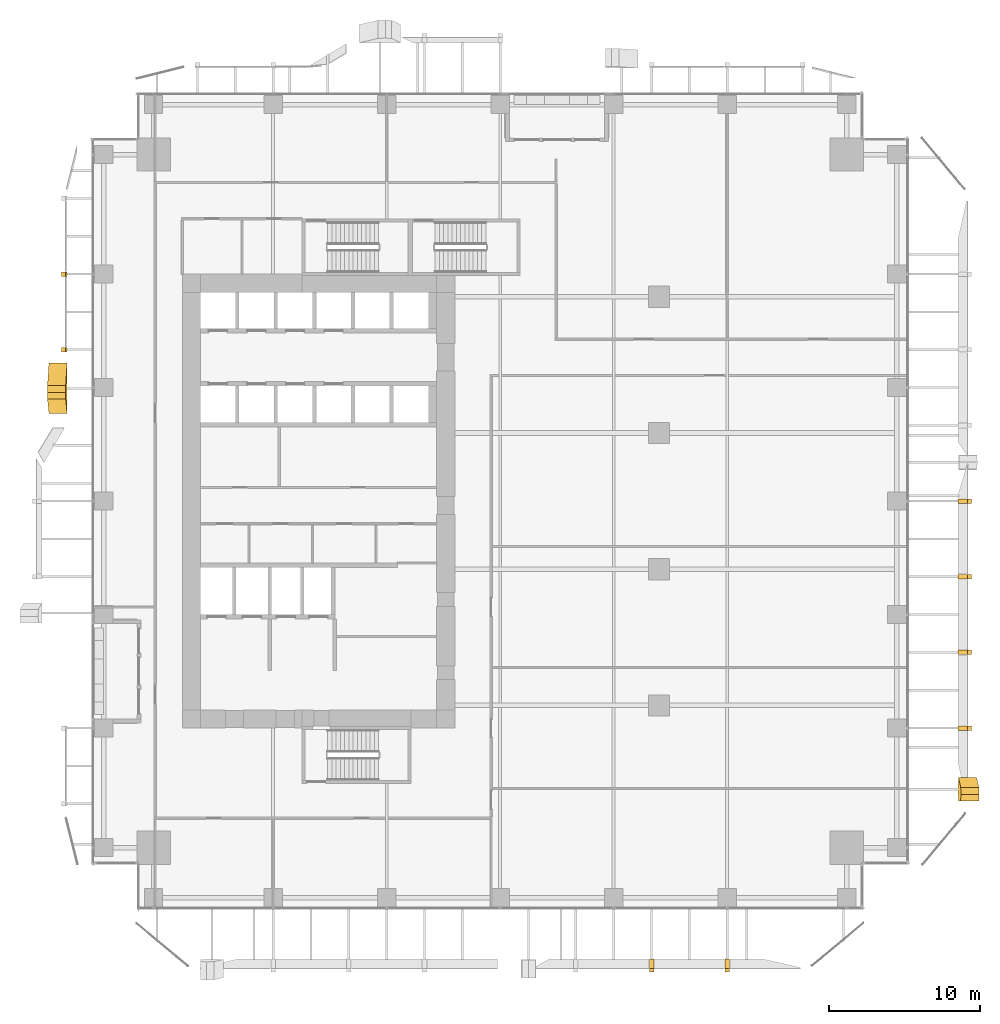
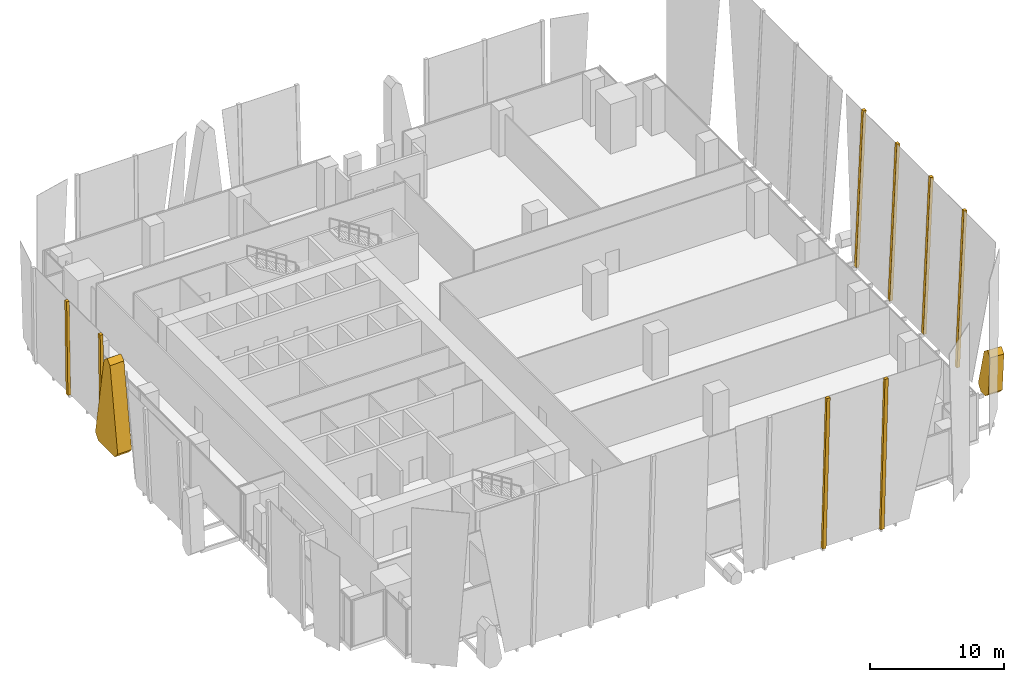
# One storey, part 32 of 35: 10 coverings.
"""IFC4 building model written with IfcOpenShell, lengths in metres."""

import ifcopenshell
import ifcopenshell.guid

model = None  # the IFC model being written
_history = None  # IfcOwnerHistory: only IFC2X3 demands one
_inside = {}  # id of a spatial element -> (the spatial element, [elements in it])
_under = {}  # id of a project, library or spatial element -> (it, [spatial elements below it])
_declared = {}  # id of a project -> (the project, [libraries it declares])
_typed = {}  # id of a type object -> (the type object, [elements of that type])
_made_of = {}  # id of a material, layer set ... -> (it, [elements and type objects made of it])


def new_model(schema):
    """Start an empty IFC model of exactly this schema.

    Asked for "IFC4X3", IfcOpenShell would pick the latest addendum, in which some entities
    have other attributes; the version numbers below select the first issue.
    IFC2X3 requires an IfcOwnerHistory on every rooted entity: one is made here for all.
    """
    global model, _history
    if schema == "IFC4X3":
        model = ifcopenshell.file(schema_version=(4, 3, 0, 0))
    else:
        model = ifcopenshell.file(schema=schema)
    _inside.clear()
    _under.clear()
    _declared.clear()
    _typed.clear()
    _made_of.clear()
    _history = None
    if model.schema == "IFC2X3":
        org = make("IfcOrganization", Name="unknown")
        user = make(
            "IfcPersonAndOrganization",
            ThePerson=make("IfcPerson", FamilyName="unknown"),
            TheOrganization=org,
        )
        app = make(
            "IfcApplication",
            ApplicationDeveloper=org,
            Version="unknown",
            ApplicationFullName="unknown",
            ApplicationIdentifier="unknown",
        )
        _history = make(
            "IfcOwnerHistory",
            OwningUser=user,
            OwningApplication=app,
            ChangeAction="ADDED",
            CreationDate=0,
        )
    return model


def make(cls, **values):
    """One entity of the class cls with the attributes given. An attribute that is None is left unset."""
    return model.create_entity(
        cls, **{name: value for name, value in values.items() if value is not None}
    )


def rooted(cls, **values):
    """An entity with a GlobalId (a new one), such as an element, a storey or a relation."""
    return make(cls, GlobalId=ifcopenshell.guid.new(), OwnerHistory=_history, **values)


def si_unit(unit_type, name, prefix=None):
    """IfcSIUnit, for example si_unit("LENGTHUNIT", "METRE", prefix="MILLI")."""
    return make("IfcSIUnit", UnitType=unit_type, Prefix=prefix, Name=name)


def assignment(units):
    """IfcUnitAssignment: the units of a project."""
    return None if units is None else make("IfcUnitAssignment", Units=units)


def point(xyz):
    """IfcCartesianPoint."""
    return None if xyz is None else make("IfcCartesianPoint", Coordinates=xyz)


def direction(xyz):
    """IfcDirection."""
    return None if xyz is None else make("IfcDirection", DirectionRatios=xyz)


def frame(location, z_axis=None, x_axis=None):
    """IfcAxis2Placement3D, a coordinate frame: its origin and axes. An axis left out is left unset."""
    return make(
        "IfcAxis2Placement3D",
        Location=point(location),
        Axis=direction(z_axis),
        RefDirection=direction(x_axis),
    )


def origin():
    """The frame at (0, 0, 0) with its axes left unset."""
    return frame((0.0, 0.0, 0.0))


def place(relative_to, where):
    """IfcLocalPlacement: puts the frame where relative to a parent placement (None: the world)."""
    return make(
        "IfcLocalPlacement", PlacementRelTo=relative_to, RelativePlacement=where
    )


def context(
    kind, dimensions, precision=None, world=None, true_north=None, identifier=None
):
    """IfcGeometricRepresentationContext, for example the 3D "Model" context."""
    return make(
        "IfcGeometricRepresentationContext",
        ContextIdentifier=identifier,
        ContextType=kind,
        CoordinateSpaceDimension=dimensions,
        Precision=precision,
        WorldCoordinateSystem=world,
        TrueNorth=true_north,
    )


def subcontext(parent, identifier, kind, view, scale=None):
    """IfcGeometricRepresentationSubContext, for example "Body" below "Model"."""
    return make(
        "IfcGeometricRepresentationSubContext",
        ContextIdentifier=identifier,
        ContextType=kind,
        ParentContext=parent,
        TargetScale=scale,
        TargetView=view,
    )


def project(units=None, contexts=None):
    """IfcProject with its units and contexts."""
    return rooted(
        "IfcProject",
        Name="project",
        RepresentationContexts=contexts,
        UnitsInContext=assignment(units),
    )


def spatial(cls, under=None, at=None, **own):
    """A site, building, storey or space (cls), placed at a placement, below another one or the project."""
    s = rooted(cls, ObjectPlacement=at, **own)
    if under is not None:
        _under.setdefault(under.id(), (under, []))[1].append(s)
    return s


def polyline(points):
    """IfcPolyline through the points."""
    return make("IfcPolyline", Points=[point(p) for p in points])


def outline(outer, holes=None, kind="AREA"):
    """IfcArbitraryClosedProfileDef: a profile drawn as a closed curve; with holes, ...WithVoids."""
    if holes is None:
        return make("IfcArbitraryClosedProfileDef", ProfileType=kind, OuterCurve=outer)
    return make(
        "IfcArbitraryProfileDefWithVoids",
        ProfileType=kind,
        OuterCurve=outer,
        InnerCurves=holes,
    )


def extrude(swept, where, along, depth):
    """IfcExtrudedAreaSolid: the profile swept, set in the frame where, extruded along a direction by depth."""
    return make(
        "IfcExtrudedAreaSolid",
        SweptArea=swept,
        Position=where,
        ExtrudedDirection=direction(along),
        Depth=depth,
    )


def shape(context_of_items, identifier, shape_type, items):
    """IfcShapeRepresentation: the items that make up one representation, for example the "Body"."""
    return make(
        "IfcShapeRepresentation",
        ContextOfItems=context_of_items,
        RepresentationIdentifier=identifier,
        RepresentationType=shape_type,
        Items=items,
    )


def material(Name=None, Category=None):
    """IfcMaterial."""
    return make("IfcMaterial", Name=Name, Category=Category)


def layer(
    of_material, thickness, ventilated=None, Name=None, Category=None, Priority=None
):
    """IfcMaterialLayer: one layer of a wall or slab, of a material (None: an air gap)."""
    return make(
        "IfcMaterialLayer",
        Material=of_material,
        LayerThickness=thickness,
        IsVentilated=ventilated,
        Name=Name,
        Category=Category,
        Priority=Priority,
    )


def layer_set(layers, Name=None):
    """IfcMaterialLayerSet."""
    return make("IfcMaterialLayerSet", MaterialLayers=layers, LayerSetName=Name)


def made_of(thing, what):
    """Note that an element or type object is made of a material, layer set ...; save() writes the relation."""
    if what is not None:
        _made_of.setdefault(what.id(), (what, []))[1].append(thing)
    return thing


def type_object(cls, material=None, **own):
    """A type object (cls), such as IfcWallType, which elements share."""
    return made_of(rooted(cls, **own), material)


def element(
    cls,
    number,
    at=None,
    inside=None,
    cuts=None,
    type_object=None,
    material=None,
    context=None,
    identifier="Body",
    shape_type=None,
    held_by="IfcProductDefinitionShape",
    body=None,
    shapes=None,
    **own,
):
    """One element of the class cls, such as IfcWall. Its Tag is "e" and its number.

    at: its placement. inside: the storey or other place that contains it. cuts: it is an
    opening in that element (IfcRelVoidsElement). A single representation is given by context,
    identifier, shape_type and body (its items); several are given by shapes. held_by: the class
    of the entity that holds the representations. save() writes the other relations.
    """
    e = rooted(cls, Tag="e%d" % number, ObjectPlacement=at, **own)
    if body is not None:
        shapes = [shape(context, identifier, shape_type, body)]
    if shapes is not None:
        e.Representation = make(held_by, Representations=shapes)
    if inside is not None:
        _inside.setdefault(inside.id(), (inside, []))[1].append(e)
    if cuts is not None:
        rooted(
            "IfcRelVoidsElement", RelatingBuildingElement=cuts, RelatedOpeningElement=e
        )
    if type_object is not None:
        _typed.setdefault(type_object.id(), (type_object, []))[1].append(e)
    return made_of(e, material)


def aggregate(whole, parts):
    """IfcRelAggregates: a whole, such as a stair, and the parts it consists of."""
    return rooted("IfcRelAggregates", RelatingObject=whole, RelatedObjects=parts)


def save(model, path):
    """Write the relations noted so far, then the file.

    IfcRelAggregates (storeys below a building ...), IfcRelContainedInSpatialStructure (elements
    in a storey), IfcRelDefinesByType, IfcRelAssociatesMaterial and IfcRelDeclares: one each for
    every whole, place, type object, material and project.
    """
    for whole, parts in _under.values():
        aggregate(whole, parts)
    for where, things in _inside.values():
        rooted(
            "IfcRelContainedInSpatialStructure",
            RelatedElements=things,
            RelatingStructure=where,
        )
    for kind, things in _typed.values():
        rooted("IfcRelDefinesByType", RelatedObjects=things, RelatingType=kind)
    for what, things in _made_of.values():
        rooted("IfcRelAssociatesMaterial", RelatedObjects=things, RelatingMaterial=what)
    for by, libraries in _declared.values():
        rooted("IfcRelDeclares", RelatingContext=by, RelatedDefinitions=libraries)
    model.write(path)


model = new_model("IFC4")

# Units and contexts
model_context = context("Model", 3, precision=1e-05, world=origin(), true_north=direction((0.0, 1.0)))
body_context = subcontext(model_context, "Body", "Model", "MODEL_VIEW")
ifc_project = project(units=[si_unit("LENGTHUNIT", "METRE"), si_unit("AREAUNIT", "SQUARE_METRE"), si_unit("VOLUMEUNIT", "CUBIC_METRE"), si_unit("PLANEANGLEUNIT", "RADIAN"), si_unit("MASSUNIT", "GRAM", prefix="KILO")], contexts=[model_context])

# Site, building, storey
site_placement = place(None, origin())
site = spatial("IfcSite", under=ifc_project, at=site_placement, CompositionType="ELEMENT")
building_placement = place(site_placement, origin())
building = spatial("IfcBuilding", under=site, at=building_placement, Name="Khomas Fold Tower", CompositionType="ELEMENT")
storey_placement = place(building_placement, frame((0.0, 0.0, 87.0)))
storey = spatial("IfcBuildingStorey", under=building, at=storey_placement, Name="L18", CompositionType="ELEMENT", Elevation=87.0)

# Coverings
ifc_material_1 = material(Name="Natural stone cladding", Category="masonry")
ifc_layer_1 = layer(ifc_material_1, 0.25)
ifc_layer_set_1 = layer_set([ifc_layer_1], Name="Natural stone cladding")
covering_type_1 = type_object("IfcCoveringType", Name="SK-Karibib marble stone mullion", PredefinedType="CLADDING", material=ifc_layer_set_1)
for number, where, z_axis, x_axis, name in (
    (1, (36.85009765625, -3.264892578125, 0.0), (0.0, 0.999041889432, 0.043764176671), (0.0, -0.043764176671, 0.999041889432), "OUTER SKIN mullion L18 SM105-12"),
    (2, (41.85009765625, -3.264892578125, 0.0), (0.0, 0.999041889432, 0.043764176671), (0.0, -0.043764176671, 0.999041889432), "OUTER SKIN mullion L18 SM106-14"),
    (3, (57.264892578125, 11.85009765625, 0.0), (-0.999041889432, 0.0, 0.043764176671), (0.043764176671, 0.0, 0.999041889432), "OUTER SKIN mullion L18 EM100-3"),
    (4, (57.264892578125, 16.85009765625, 0.0), (-0.999041889432, 0.0, 0.043764176671), (0.043764176671, 0.0, 0.999041889432), "OUTER SKIN mullion L18 EM101-5"),
    (5, (57.264892578125, 21.85009765625, 0.0), (-0.999041889432, 0.0, 0.043764176671), (0.043764176671, 0.0, 0.999041889432), "OUTER SKIN mullion L18 EM102-7"),
    (6, (57.264892578125, 26.85009765625, 0.0), (-0.999041889432, 0.0, 0.043764176671), (0.043764176671, 0.0, 0.999041889432), "OUTER SKIN mullion L18 EM103-9"),
):
    element("IfcCovering", number, at=place(storey_placement, frame(where, z_axis=z_axis, x_axis=x_axis)), inside=storey, type_object=covering_type_1, Name=name, PredefinedType="CLADDING", context=body_context, shape_type="SweptSolid", body=[
        extrude(outline(polyline([(0.0, 0.0), (14.06352323836003, 0.0), (14.06352323836003, 0.2998046875), (0.0, 0.2998046875), (0.0, 0.0)])), origin(), (0.0, 0.0, -1.0), 0.25),
    ])
covering_1_placement = place(storey_placement, frame((-1.721923828125, 36.85009765625, 8.550048828125), z_axis=(0.999913595869, 7.7049925e-05, 0.013145145892), x_axis=(-7.7043268e-05, 0.999999997032, -1.012833e-06)))
element("IfcCovering", 7, at=covering_1_placement, inside=storey, type_object=covering_type_1, Name="OUTER SKIN mullion L18 WM105-10", PredefinedType="CLADDING", context=body_context, shape_type="SweptSolid", body=[
    extrude(outline(polyline([(0.0, 0.0), (0.29980468661007614, -6.348611201344487e-23), (0.2998046868086422, -7.800722785772221), (0.03344726572428304, -7.800722785772221), (-3.3611294736046726e-09, -7.630054350249713), (0.0, 0.0)])), origin(), (0.0, 0.0, -1.0), 0.25),
])
covering_2_placement = place(storey_placement, frame((-1.721923828125, 42.14990234375, 8.550048828125), z_axis=(0.999913371991, 0.0, 0.013162390123), x_axis=(0.013162390123, 0.0, -0.999913371991)))
element("IfcCovering", 8, at=covering_2_placement, inside=storey, type_object=covering_type_1, Name="OUTER SKIN mullion L18 WM106-12", PredefinedType="CLADDING", context=body_context, shape_type="SweptSolid", body=[
    extrude(outline(polyline([(0.0, 0.0), (8.550789566001143, 0.0), (8.550789566001143, -0.2998046875), (0.0, -0.2998046875), (0.0, 0.0)])), origin(), (0.0, 0.0, -1.0), 0.25),
])
ifc_material_2 = material(Name="Natural stone cladding", Category="masonry")
ifc_layer_2 = layer(ifc_material_2, 1.199951171875)
ifc_layer_set_2 = layer_set([ifc_layer_2], Name="Natural stone cladding")
covering_type_2 = type_object("IfcCoveringType", Name="SK-Karibib marble stone panel", PredefinedType="CLADDING", material=ifc_layer_set_2)
covering_3_placement = place(storey_placement, frame((57.28466796875, 7.199951171875, 0.449951171875), z_axis=(-0.999040844826, 9.4853764e-05, 0.04378791354), x_axis=(0.043787913737, -4.925e-09, 0.99904084932)))
element("IfcCovering", 9, at=covering_3_placement, inside=storey, type_object=covering_type_2, Name="OUTER SKIN leaf L18 ES03-1", PredefinedType="CLADDING", context=body_context, shape_type="SweptSolid", body=[
    extrude(outline(polyline([(0.0, 0.0), (3.2264760126258487, 1.6940658945086007e-21), (3.674666376509045, 0.406494155252103), (3.3129899406757155, 0.8916015701172282), (0.08651392494154138, 1.5227050829031346), (-0.4503855293270899, 1.0812988159203025), (-0.4503855262175622, 0.4499511625104944), (0.0, 0.0)])), origin(), (0.0, 0.0, -1.0), 1.199951171875),
])
covering_4_placement = place(storey_placement, frame((-1.6162109375, 32.781494140625, 0.5078125), z_axis=(0.999913445118, -5.9768139e-05, 0.013156697948), x_axis=(-0.013040240944, 0.128331006262, 0.991645654933)))
element("IfcCovering", 10, at=covering_4_placement, inside=storey, type_object=covering_type_2, Name="OUTER SKIN leaf L18 WS08-2", PredefinedType="CLADDING", context=body_context, shape_type="SweptSolid", body=[
    extrude(outline(polyline([(0.0, 0.0), (7.567862496885595, -2.220446049250313e-16), (8.012136419237402, -0.3777499731953511), (7.710141659883944, -0.8769316356465143), (0.4554932913177533, -3.2974244829476747), (-0.13317234862434463, -2.9282657192046613), (-0.44638647694374933, -0.5077728719035011), (0.0, 0.0)])), origin(), (0.0, 0.0, -1.0), 1.199951171875),
])

save(model, "model.ifc")
